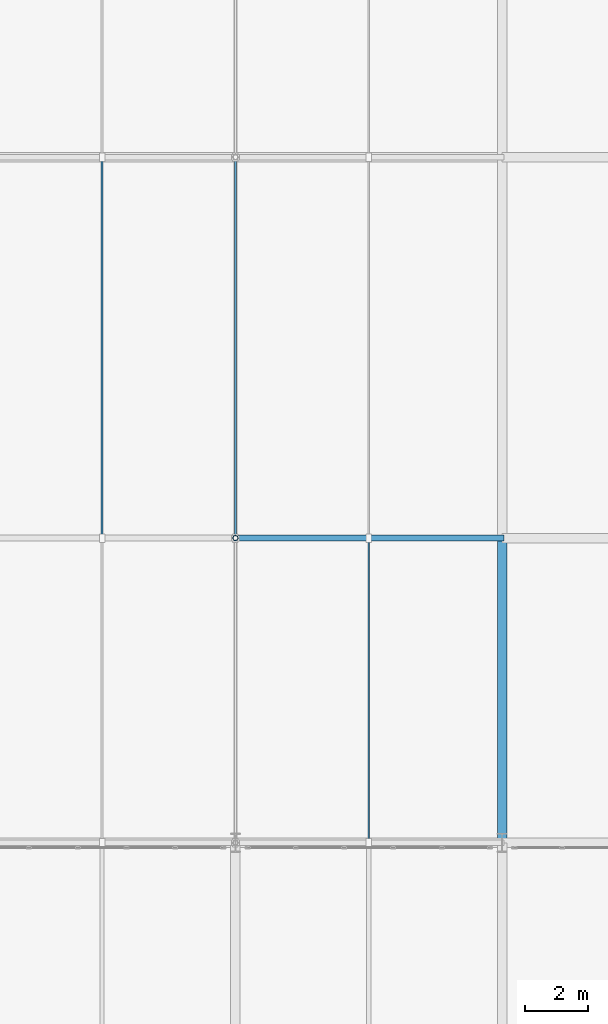
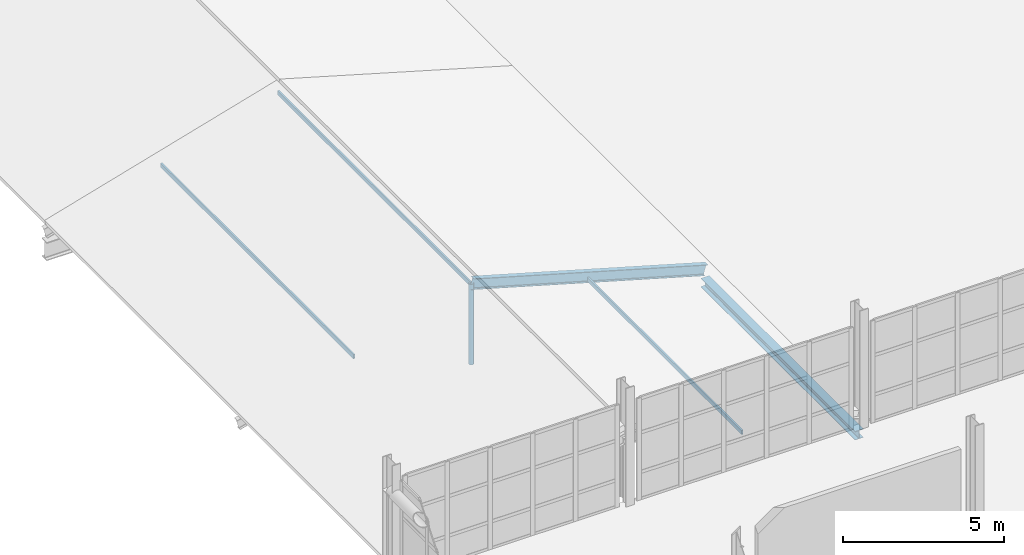
# One storey, part 34 of 130: 4 members, 2 beams.
"""IFC4 building model written with IfcOpenShell, lengths in metres."""

from ifc_helpers import new_model, si_unit, direction, frame, origin, origin_2d, place, context, subcontext, project, spatial, hollow_rectangle, hollow_circle, i_section, extrude, material, material_profile, profile_set, type_object, element, save


model = new_model("IFC4")

# Units and contexts
model_context = context("Model", 3, precision=1e-05, world=origin(), true_north=direction((0.0, 1.0)))
body_context = subcontext(model_context, "Body", "Model", "MODEL_VIEW")
ifc_project = project(units=[si_unit("LENGTHUNIT", "METRE"), si_unit("AREAUNIT", "SQUARE_METRE"), si_unit("VOLUMEUNIT", "CUBIC_METRE"), si_unit("PLANEANGLEUNIT", "RADIAN"), si_unit("MASSUNIT", "GRAM", prefix="KILO")], contexts=[model_context])

# Site, building, storey
site_placement = place(None, origin())
site = spatial("IfcSite", under=ifc_project, at=site_placement, CompositionType="ELEMENT")
building_placement = place(site_placement, origin())
building = spatial("IfcBuilding", under=site, at=building_placement, Name="Veltarok Museum of Natural Sciences", CompositionType="ELEMENT")
storey_placement = place(building_placement, frame((0.0, 0.0, 12.89990234375)))
storey = spatial("IfcBuildingStorey", under=building, at=storey_placement, Name="L02", CompositionType="ELEMENT", Elevation=12.89990234375)

# Beam
ifc_material_1 = material(Name="Steel S355J2", Category="steel")
ifc_material_profile_1 = material_profile(ifc_material_1, i_section(OverallWidth=0.300048828125, OverallDepth=0.330078125, WebThickness=0.009521484375, FlangeThickness=0.0166015625, FilletRadius=0.027099609375, at=origin_2d()), Name="HEA 340")
ifc_profile_set_1 = profile_set([ifc_material_profile_1], Name="Steel S355J2")
beam_type_1 = type_object("IfcBeamType", Name="Perimeter Upper Spandrel HEA 340", PredefinedType="SPANDREL", material=ifc_profile_set_1)
beam_1_placement = place(storey_placement, frame((23.199951171875, 26.39990234375, -0.414794921875), z_axis=(0.0, 1.0, 0.0), x_axis=(-1.0, 0.0, 0.0)))
element("IfcBeam", 1, at=beam_1_placement, inside=storey, type_object=beam_type_1, Name="Beam BM-SP05 L02 3/D-E", PredefinedType="SPANDREL", context=body_context, shape_type="SweptSolid", body=[
    extrude(i_section(OverallWidth=0.300048828125, OverallDepth=0.330078125, WebThickness=0.009521484375, FlangeThickness=0.0166015625, FilletRadius=0.027099609375, at=origin_2d()), origin(), (0.0, 0.0, 1.0), 9.60009765625),
])

# Members
ifc_material_profile_2 = material_profile(ifc_material_1, hollow_rectangle(XDim=0.06005859375, YDim=0.159912109375, WallThickness=0.0048828125, at=origin_2d()), Name="RHS 160x60x5")
ifc_profile_set_2 = profile_set([ifc_material_profile_2], Name="Steel S355J2")
member_type_1 = type_object("IfcMemberType", Name="Sawtooth Roof Purlin RHS 160x60x5", PredefinedType="PURLIN", material=ifc_profile_set_2)
for number, where, z_axis, x_axis, name in (
    (2, (14.800048828125, 36.0, 2.421142578125), (0.0, 1.0, 0.0), (-1.0, 0.0, 0.0), "Auditorium Roof Purlin RID E-F"),
    (3, (10.60009765625, 36.0, 1.13623046875), (0.0, 1.0, 0.0), (-1.0, 0.0, 0.0), "Auditorium Roof Purlin MW E-F"),
):
    element("IfcMember", number, at=place(storey_placement, frame(where, z_axis=z_axis, x_axis=x_axis)), inside=storey, type_object=member_type_1, Name=name, PredefinedType="PURLIN", context=body_context, shape_type="SweptSolid", body=[
        extrude(hollow_rectangle(XDim=0.06005859375, YDim=0.159912109375, WallThickness=0.0048828125, at=origin_2d()), origin(), (0.0, 0.0, 1.0), 12.0),
    ])
member_1_placement = place(storey_placement, frame((19.0, 26.39990234375, 1.13623046875), z_axis=(0.0, 1.0, 0.0), x_axis=(-1.0, 0.0, 0.0)))
element("IfcMember", 4, at=member_1_placement, inside=storey, type_object=member_type_1, Name="Auditorium Roof Purlin ME D-E", PredefinedType="PURLIN", context=body_context, shape_type="SweptSolid", body=[
    extrude(hollow_rectangle(XDim=0.06005859375, YDim=0.159912109375, WallThickness=0.0048828125, at=origin_2d()), origin(), (0.0, 0.0, 1.0), 9.60009765625),
])
ifc_material_2 = material(Name="Oxide-red painted Steel S355J2", Category="steel")
ifc_material_profile_3 = material_profile(ifc_material_2, hollow_circle(Radius=0.084228515625, WallThickness=0.008056640625, at=origin_2d()), Name="CHS 168.3x8")
ifc_profile_set_3 = profile_set([ifc_material_profile_3], Name="Oxide-red painted Steel S355J2")
member_type_2 = type_object("IfcMemberType", Name="Sawtooth Truss Vertical Strut CHS 168.3x8", PredefinedType="STRUT", material=ifc_profile_set_3)
member_2_placement = place(storey_placement, frame((14.800048828125, 36.0, -0.599853515625), z_axis=(0.0, 0.0, 1.0), x_axis=(1.0, 0.0, 0.0)))
element("IfcMember", 5, at=member_2_placement, inside=storey, type_object=member_type_2, Name="Auditorium Ridge King-Post Y=36.0", PredefinedType="STRUT", context=body_context, shape_type="SweptSolid", body=[
    extrude(hollow_circle(Radius=0.084228515625, WallThickness=0.008056640625, at=origin_2d()), origin(), (0.0, 0.0, 1.0), 3.06103515625),
])

# Beam
ifc_material_profile_4 = material_profile(ifc_material_1, i_section(OverallWidth=0.179931640625, OverallDepth=0.39990234375, WebThickness=0.008544921875, FlangeThickness=0.013427734375, FilletRadius=0.02099609375, at=origin_2d()), Name="IPE 400")
ifc_profile_set_4 = profile_set([ifc_material_profile_4], Name="Steel S355J2")
beam_type_2 = type_object("IfcBeamType", Name="Sawtooth and Folded Roof Rafter IPE 400", PredefinedType="BEAM", material=ifc_profile_set_4)
beam_2_placement = place(storey_placement, frame((14.800048828125, 36.0, 2.461181640625), z_axis=(0.961222911009, 0.0, -0.275772579043), x_axis=(0.0, 1.0, 0.0)))
element("IfcBeam", 6, at=beam_2_placement, inside=storey, type_object=beam_type_2, Name="Auditorium Roof Rafter Y=36.0 2", PredefinedType="BEAM", context=body_context, shape_type="SweptSolid", body=[
    extrude(i_section(OverallWidth=0.179931640625, OverallDepth=0.39990234375, WebThickness=0.008544921875, FlangeThickness=0.013427734375, FilletRadius=0.02099609375, at=origin_2d()), origin(), (0.0, 0.0, 1.0), 8.73876953125),
])

save(model, "model.ifc")
